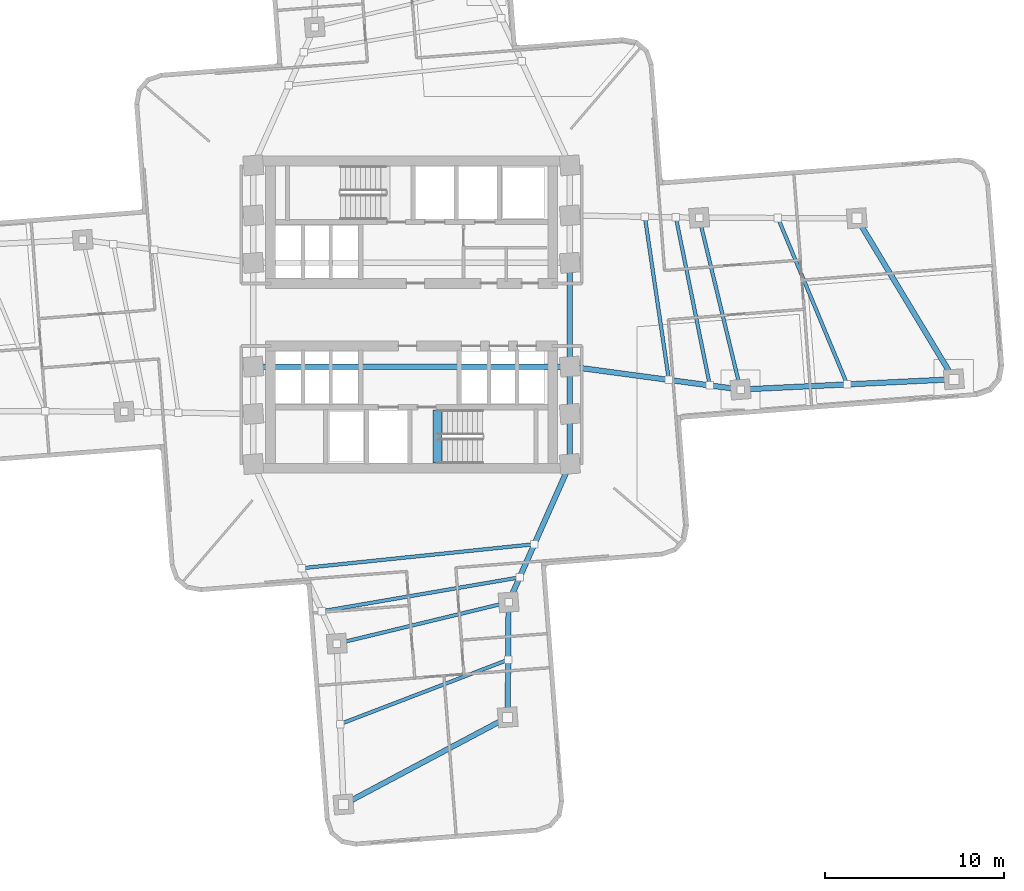
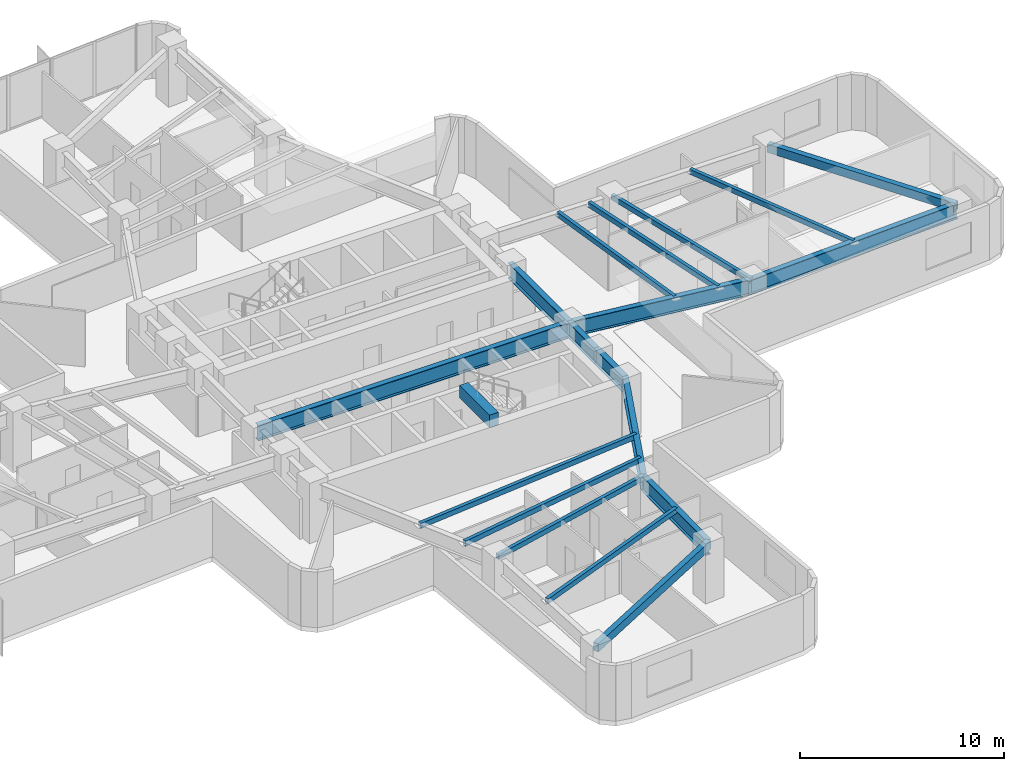
# One storey, part 3 of 15: 19 beams.
"""IFC4 building model written with IfcOpenShell, lengths in metres."""

from ifc_helpers import new_model, si_unit, direction, frame, origin, origin_2d, place, context, subcontext, project, spatial, rectangle, hollow_rectangle, i_section, extrude, material, material_profile, profile_set, type_object, element, save


model = new_model("IFC4")

# Units and contexts
model_context = context("Model", 3, precision=1e-05, world=origin(), true_north=direction((0.0, 1.0)))
body_context = subcontext(model_context, "Body", "Model", "MODEL_VIEW")
ifc_project = project(units=[si_unit("LENGTHUNIT", "METRE"), si_unit("AREAUNIT", "SQUARE_METRE"), si_unit("VOLUMEUNIT", "CUBIC_METRE"), si_unit("PLANEANGLEUNIT", "RADIAN"), si_unit("MASSUNIT", "GRAM", prefix="KILO")], contexts=[model_context])

# Site, building, storey
site_placement = place(None, origin())
site = spatial("IfcSite", under=ifc_project, at=site_placement, CompositionType="ELEMENT")
building_placement = place(site_placement, origin())
building = spatial("IfcBuilding", under=site, at=building_placement, Name="Solmarez Civic Tower", CompositionType="ELEMENT")
storey_placement = place(building_placement, frame((0.0, 0.0, 60.47998046875)))
storey = spatial("IfcBuildingStorey", under=building, at=storey_placement, Name="L15", CompositionType="ELEMENT", Elevation=60.47998046875)

# Beams
ifc_material_1 = material(Name="Steel S355", Category="steel")
ifc_material_profile_1 = material_profile(ifc_material_1, hollow_rectangle(XDim=0.199951171875, YDim=0.300048828125, WallThickness=0.011962890625, at=origin_2d()), Name="HSS300X200X12")
ifc_profile_set_1 = profile_set([ifc_material_profile_1], Name="Steel S355")
beam_type_1 = type_object("IfcBeamType", Name="BM-JS-HSS300X200", PredefinedType="JOIST", material=ifc_profile_set_1)
beam_1_placement = place(storey_placement, frame((18.39111328125, -4.18408203125, 3.169921875), z_axis=(-0.234328919867, 0.97215737271, 0.0), x_axis=(-0.97215737271, -0.234328919867, 0.0)))
element("IfcBeam", 1, at=beam_1_placement, inside=storey, type_object=beam_type_1, Name="L15 Secondary Floor Joist BM-L15-EA-T1", PredefinedType="JOIST", context=body_context, shape_type="SweptSolid", body=[
    extrude(hollow_rectangle(XDim=0.199951171875, YDim=0.300048828125, WallThickness=0.011962890625, at=origin_2d()), origin(), (0.0, 0.0, 1.0), 9.880126953125),
])
beam_2_placement = place(storey_placement, frame((24.35498046875, -3.89697265625, 3.169921875), z_axis=(-0.384310898391, 0.923203733408, 0.0), x_axis=(-0.923203733408, -0.384310898391, 0.0)))
element("IfcBeam", 2, at=beam_2_placement, inside=storey, type_object=beam_type_1, Name="L15 Secondary Floor Joist JS-L15-EA-M2", PredefinedType="JOIST", context=body_context, shape_type="SweptSolid", body=[
    extrude(hollow_rectangle(XDim=0.199951171875, YDim=0.300048828125, WallThickness=0.011962890625, at=origin_2d()), origin(), (0.0, 0.0, 1.0), 10.077880859375),
])
beam_3_placement = place(storey_placement, frame((14.384033203125, -3.64501953125, 3.169921875), z_axis=(-0.145687649447, 0.989330636743, 0.0), x_axis=(-0.989330636743, -0.145687649447, 0.0)))
element("IfcBeam", 3, at=beam_3_placement, inside=storey, type_object=beam_type_1, Name="L15 Secondary Floor Joist JS-L15-EA-M11", PredefinedType="JOIST", context=body_context, shape_type="SweptSolid", body=[
    extrude(hollow_rectangle(XDim=0.199951171875, YDim=0.300048828125, WallThickness=0.011962890625, at=origin_2d()), origin(), (0.0, 0.0, 1.0), 9.218505859375),
])
beam_4_placement = place(storey_placement, frame((16.674072265625, -3.952880859375, 3.169921875), z_axis=(-0.198099134772, 0.980181989634, 0.0), x_axis=(-0.980181989634, -0.198099134772, 0.0)))
element("IfcBeam", 4, at=beam_4_placement, inside=storey, type_object=beam_type_1, Name="L15 Secondary Floor Joist JS-L15-EA-M12", PredefinedType="JOIST", context=body_context, shape_type="SweptSolid", body=[
    extrude(hollow_rectangle(XDim=0.199951171875, YDim=0.300048828125, WallThickness=0.011962890625, at=origin_2d()), origin(), (0.0, 0.0, 1.0), 9.5869140625),
])
beam_5_placement = place(storey_placement, frame((-4.18408203125, -18.39111328125, 3.169921875), z_axis=(0.97215737271, 0.234328919867, 0.0), x_axis=(-0.234328919867, 0.97215737271, 0.0)))
element("IfcBeam", 5, at=beam_5_placement, inside=storey, type_object=beam_type_1, Name="L15 Secondary Floor Joist BM-L15-SA-T1", PredefinedType="JOIST", context=body_context, shape_type="SweptSolid", body=[
    extrude(hollow_rectangle(XDim=0.199951171875, YDim=0.300048828125, WallThickness=0.011962890625, at=origin_2d()), origin(), (0.0, 0.0, 1.0), 9.880126953125),
])
beam_6_placement = place(storey_placement, frame((-3.9951171875, -22.886962890625, 3.169921875), z_axis=(0.933878315551, 0.357590955903, 0.0), x_axis=(-0.357590955903, 0.933878315551, 0.0)))
element("IfcBeam", 6, at=beam_6_placement, inside=storey, type_object=beam_type_1, Name="L15 Secondary Floor Joist JS-L15-SA-M2", PredefinedType="JOIST", context=body_context, shape_type="SweptSolid", body=[
    extrude(hollow_rectangle(XDim=0.199951171875, YDim=0.300048828125, WallThickness=0.011962890625, at=origin_2d()), origin(), (0.0, 0.0, 1.0), 10.05615234375),
])
beam_7_placement = place(storey_placement, frame((-6.14404296875, -14.174072265625, 3.169921875), z_axis=(0.9947100999, 0.102722038325, 0.0), x_axis=(-0.102722038325, 0.9947100999, 0.0)))
element("IfcBeam", 7, at=beam_7_placement, inside=storey, type_object=beam_type_1, Name="L15 Secondary Floor Joist JS-L15-SA-M11", PredefinedType="JOIST", context=body_context, shape_type="SweptSolid", body=[
    extrude(hollow_rectangle(XDim=0.199951171875, YDim=0.300048828125, WallThickness=0.011962890625, at=origin_2d()), origin(), (0.0, 0.0, 1.0), 13.07421875),
])
beam_8_placement = place(storey_placement, frame((-5.02392578125, -16.583984375, 3.169921875), z_axis=(0.985583934907, 0.169187195889, 0.0), x_axis=(-0.169187195889, 0.985583934907, 0.0)))
element("IfcBeam", 8, at=beam_8_placement, inside=storey, type_object=beam_type_1, Name="L15 Secondary Floor Joist JS-L15-SA-M12", PredefinedType="JOIST", context=body_context, shape_type="SweptSolid", body=[
    extrude(hollow_rectangle(XDim=0.199951171875, YDim=0.300048828125, WallThickness=0.011962890625, at=origin_2d()), origin(), (0.0, 0.0, 1.0), 11.223876953125),
])
ifc_material_2 = material(Name="Concrete C50/60", Category="concrete")
ifc_material_profile_2 = material_profile(ifc_material_2, rectangle(XDim=0.5, YDim=0.75, at=origin_2d()), Name="RC500X750")
ifc_profile_set_2 = profile_set([ifc_material_profile_2], Name="Concrete C50/60")
beam_type_2 = type_object("IfcBeamType", Name="BM-PR-RC500X750", PredefinedType="BEAM", material=ifc_profile_set_2)
beam_9_placement = place(storey_placement, frame((1.449951171875, -8.300048828125, 3.23291015625), z_axis=(0.0, 1.0, 0.0), x_axis=(-1.0, 0.0, 0.0)))
element("IfcBeam", 9, at=beam_9_placement, inside=storey, type_object=beam_type_2, Name="L15 South Stair Threshold Beam", PredefinedType="BEAM", context=body_context, shape_type="SweptSolid", body=[
    extrude(rectangle(XDim=0.5, YDim=0.75, at=origin_2d()), origin(), (0.0, 0.0, 1.0), 2.9599609375),
])
ifc_material_profile_3 = material_profile(ifc_material_1, i_section(OverallWidth=0.303955078125, OverallDepth=0.910888671875, WebThickness=0.015869140625, FlangeThickness=0.02392578125, at=origin_2d()), Name="W36X150")
ifc_profile_set_3 = profile_set([ifc_material_profile_3], Name="Steel S355")
beam_type_3 = type_object("IfcBeamType", Name="BM-PR-W36X150", PredefinedType="BEAM", material=ifc_profile_set_3)
beam_10_placement = place(storey_placement, frame((8.85009765625, -2.89990234375, 2.864013671875), z_axis=(0.991063240718, -0.133392851745, 0.0), x_axis=(0.133392851745, 0.991063240718, 0.0)))
element("IfcBeam", 10, at=beam_10_placement, inside=storey, type_object=beam_type_3, Name="L15 Primary Floor Beam BM-L15-EA-R1A", PredefinedType="BEAM", context=body_context, shape_type="SweptSolid", body=[
    extrude(i_section(OverallWidth=0.303955078125, OverallDepth=0.910888671875, WebThickness=0.015869140625, FlangeThickness=0.02392578125, at=origin_2d()), origin(), (0.0, 0.0, 1.0), 9.626953125),
])
beam_11_placement = place(storey_placement, frame((18.39111328125, -4.18408203125, 2.864013671875), z_axis=(0.998839135977, 0.048170327398, 0.0), x_axis=(-0.048170327398, 0.998839135977, 0.0)))
element("IfcBeam", 11, at=beam_11_placement, inside=storey, type_object=beam_type_3, Name="L15 Primary Floor Beam BM-L15-EA-R2A", PredefinedType="BEAM", context=body_context, shape_type="SweptSolid", body=[
    extrude(i_section(OverallWidth=0.303955078125, OverallDepth=0.910888671875, WebThickness=0.015869140625, FlangeThickness=0.02392578125, at=origin_2d()), origin(), (0.0, 0.0, 1.0), 11.94091796875),
])
beam_12_placement = place(storey_placement, frame((8.85009765625, -8.35009765625, 2.864013671875), z_axis=(-0.405693556952, -0.914009156326, 0.0), x_axis=(0.914009156326, -0.405693556952, 0.0)))
element("IfcBeam", 12, at=beam_12_placement, inside=storey, type_object=beam_type_3, Name="L15 Primary Floor Beam BM-L15-SA-R1B", PredefinedType="BEAM", context=body_context, shape_type="SweptSolid", body=[
    extrude(i_section(OverallWidth=0.303955078125, OverallDepth=0.910888671875, WebThickness=0.015869140625, FlangeThickness=0.02392578125, at=origin_2d()), origin(), (0.0, 0.0, 1.0), 8.45263671875),
])
beam_13_placement = place(storey_placement, frame((5.4208984375, -16.075927734375, 2.864013671875), z_axis=(-0.007592219108, -0.999971178689, 0.0), x_axis=(0.999971178689, -0.007592219108, 0.0)))
element("IfcBeam", 13, at=beam_13_placement, inside=storey, type_object=beam_type_3, Name="L15 Primary Floor Beam BM-L15-SA-R2B", PredefinedType="BEAM", context=body_context, shape_type="SweptSolid", body=[
    extrude(i_section(OverallWidth=0.303955078125, OverallDepth=0.910888671875, WebThickness=0.015869140625, FlangeThickness=0.02392578125, at=origin_2d()), origin(), (0.0, 0.0, 1.0), 6.431396484375),
])
ifc_material_profile_4 = material_profile(ifc_material_1, i_section(OverallWidth=0.306884765625, OverallDepth=0.927001953125, WebThickness=0.019287109375, FlangeThickness=0.031982421875, at=origin_2d()), Name="W36X194")
ifc_profile_set_4 = profile_set([ifc_material_profile_4], Name="Steel S355")
beam_type_4 = type_object("IfcBeamType", Name="BM-PR-W36X194", PredefinedType="BEAM", material=ifc_profile_set_4)
beam_14_placement = place(storey_placement, frame((8.85009765625, -8.35009765625, 2.85595703125), z_axis=(0.0, 1.0, 0.0), x_axis=(-1.0, 0.0, 0.0)))
element("IfcBeam", 14, at=beam_14_placement, inside=storey, type_object=beam_type_4, Name="L15 Primary Floor Beam BM-L15-HC10-HC5", PredefinedType="BEAM", context=body_context, shape_type="SweptSolid", body=[
    extrude(i_section(OverallWidth=0.306884765625, OverallDepth=0.927001953125, WebThickness=0.019287109375, FlangeThickness=0.031982421875, at=origin_2d()), origin(), (0.0, 0.0, 1.0), 2.800048828125),
])
beam_15_placement = place(storey_placement, frame((8.85009765625, -5.550048828125, 2.85595703125), z_axis=(0.0, 1.0, 0.0), x_axis=(-1.0, 0.0, 0.0)))
element("IfcBeam", 15, at=beam_15_placement, inside=storey, type_object=beam_type_4, Name="L15 Primary Floor Beam BM-L15-HC5-HC6", PredefinedType="BEAM", context=body_context, shape_type="SweptSolid", body=[
    extrude(i_section(OverallWidth=0.306884765625, OverallDepth=0.927001953125, WebThickness=0.019287109375, FlangeThickness=0.031982421875, at=origin_2d()), origin(), (0.0, 0.0, 1.0), 2.650146484375),
])
beam_16_placement = place(storey_placement, frame((8.85009765625, -2.89990234375, 2.85595703125), z_axis=(0.0, 1.0, 0.0), x_axis=(-1.0, 0.0, 0.0)))
element("IfcBeam", 16, at=beam_16_placement, inside=storey, type_object=beam_type_4, Name="L15 Primary Floor Beam BM-L15-HC6-HC7", PredefinedType="BEAM", context=body_context, shape_type="SweptSolid", body=[
    extrude(i_section(OverallWidth=0.306884765625, OverallDepth=0.927001953125, WebThickness=0.019287109375, FlangeThickness=0.031982421875, at=origin_2d()), origin(), (0.0, 0.0, 1.0), 5.7998046875),
])
beam_17_placement = place(storey_placement, frame((-8.85009765625, -2.89990234375, 2.85595703125), z_axis=(1.0, 0.0, 0.0), x_axis=(0.0, 1.0, 0.0)))
element("IfcBeam", 17, at=beam_17_placement, inside=storey, type_object=beam_type_4, Name="L15 Primary Floor Beam BM-L15-HC2-HC6", PredefinedType="BEAM", context=body_context, shape_type="SweptSolid", body=[
    extrude(i_section(OverallWidth=0.306884765625, OverallDepth=0.927001953125, WebThickness=0.019287109375, FlangeThickness=0.031982421875, at=origin_2d()), origin(), (0.0, 0.0, 1.0), 17.7001953125),
])
ifc_material_profile_5 = material_profile(ifc_material_1, hollow_rectangle(XDim=0.300048828125, YDim=0.5, WallThickness=0.02001953125, at=origin_2d()), Name="HSS500X300X20")
ifc_profile_set_5 = profile_set([ifc_material_profile_5], Name="Steel S355")
beam_type_5 = type_object("IfcBeamType", Name="BM-SP-HSS500X300", PredefinedType="SPANDREL", material=ifc_profile_set_5)
beam_18_placement = place(storey_placement, frame((30.318115234375, -3.60888671875, 3.070068359375), z_axis=(-0.516522901024, 0.856273374991, 0.0), x_axis=(-0.856273374991, -0.516522901024, 0.0)))
element("IfcBeam", 18, at=beam_18_placement, inside=storey, type_object=beam_type_5, Name="L15 Perimeter Spandrel Beam BM-L15-EA-T2", PredefinedType="SPANDREL", context=body_context, shape_type="SweptSolid", body=[
    extrude(hollow_rectangle(XDim=0.300048828125, YDim=0.5, WallThickness=0.02001953125, at=origin_2d()), origin(), (0.0, 0.0, 1.0), 10.512939453125),
])
beam_19_placement = place(storey_placement, frame((-3.806884765625, -27.383056640625, 3.070068359375), z_axis=(0.883129404808, 0.469129464394, 0.0), x_axis=(-0.469129464394, 0.883129404808, 0.0)))
element("IfcBeam", 19, at=beam_19_placement, inside=storey, type_object=beam_type_5, Name="L15 Perimeter Spandrel Beam BM-L15-SA-T2", PredefinedType="SPANDREL", context=body_context, shape_type="SweptSolid", body=[
    extrude(hollow_rectangle(XDim=0.300048828125, YDim=0.5, WallThickness=0.02001953125, at=origin_2d()), origin(), (0.0, 0.0, 1.0), 10.3935546875),
])

save(model, "model.ifc")
